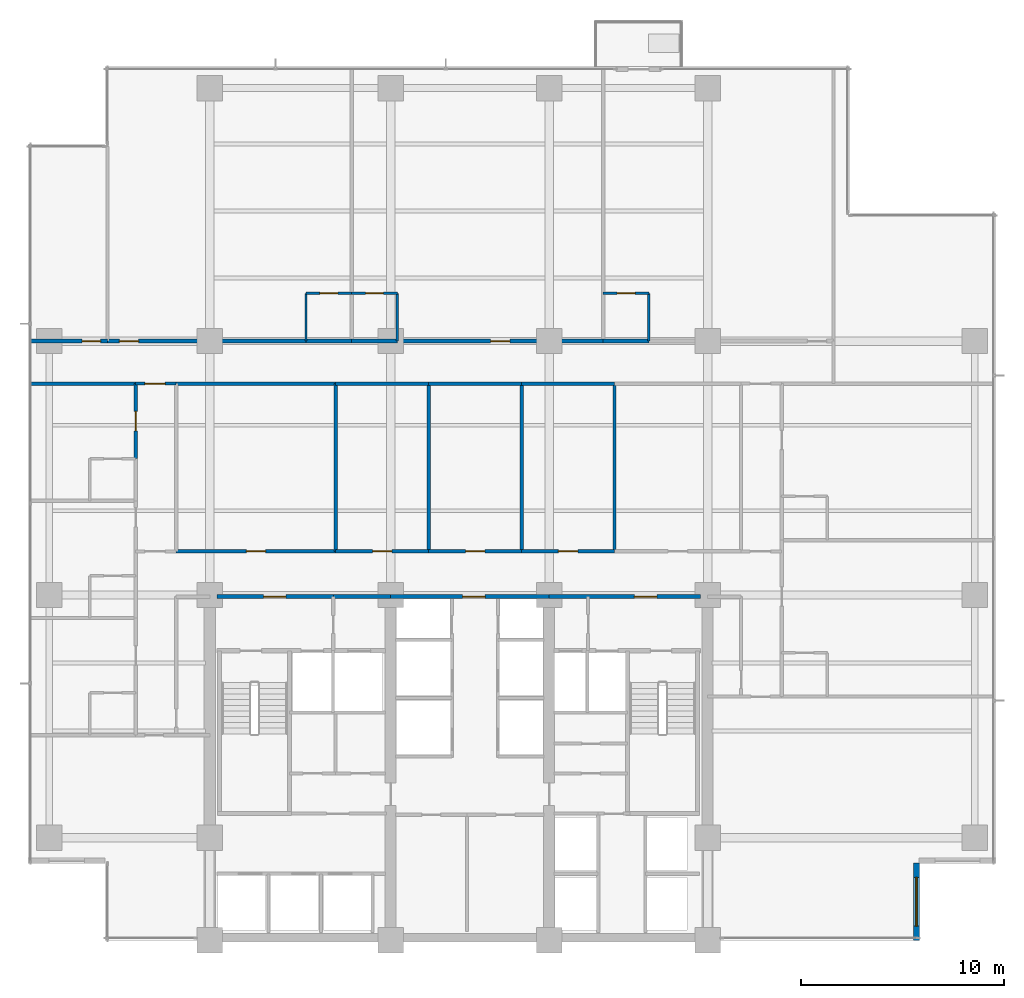
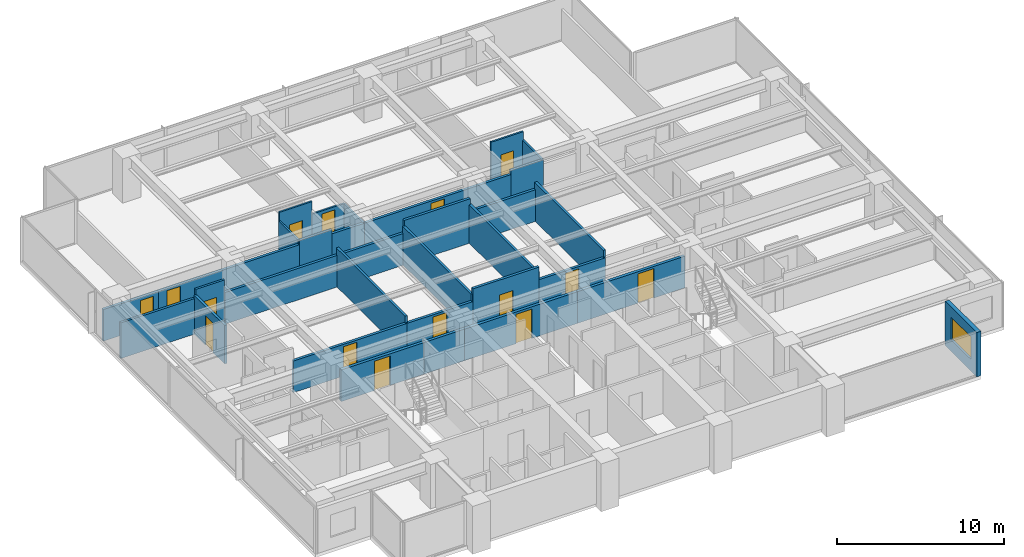
# One storey, part 10 of 17: 32 walls, 15 doors, 1 window, 16 openings.
"""IFC4 building model written with IfcOpenShell, lengths in metres."""

from ifc_helpers import new_model, si_unit, direction, frame, frame_2d, origin, place, context, subcontext, project, spatial, rectangle, extrude, material, layer, layer_set, type_object, element, fill, save


model = new_model("IFC4")

# Units and contexts
model_context = context("Model", 3, precision=1e-05, world=origin(), true_north=direction((0.0, 1.0)))
body_context = subcontext(model_context, "Body", "Model", "MODEL_VIEW")
ifc_project = project(units=[si_unit("LENGTHUNIT", "METRE"), si_unit("AREAUNIT", "SQUARE_METRE"), si_unit("VOLUMEUNIT", "CUBIC_METRE"), si_unit("PLANEANGLEUNIT", "RADIAN"), si_unit("MASSUNIT", "GRAM", prefix="KILO")], contexts=[model_context])

# Site, building, storey
site_placement = place(None, origin())
site = spatial("IfcSite", under=ifc_project, at=site_placement, CompositionType="ELEMENT")
building_placement = place(site_placement, origin())
building = spatial("IfcBuilding", under=site, at=building_placement, Name="Qalmaran Belvedere Hotel", CompositionType="ELEMENT")
storey_placement = place(building_placement, frame((0.0, 0.0, 112.699951171875)))
storey = spatial("IfcBuildingStorey", under=building, at=storey_placement, Name="L28", CompositionType="ELEMENT", Elevation=112.699951171875)

# Wall, opening, window
ifc_material_1 = material(Name="Anodised Bronze Cladding")
ifc_layer_1 = layer(ifc_material_1, 0.280029296875, Name="Anodised Bronze Cladding")
ifc_layer_set_1 = layer_set([ifc_layer_1], Name="Anodised Bronze Cladding")
wall_type_1 = type_object("IfcWallType", Name="WL-EXT-BRNZ-280", PredefinedType="SOLIDWALL", material=ifc_layer_set_1)
wall_1_placement = place(storey_placement, frame((55.080078125, 3.5, 0.0), z_axis=(0.0, 0.0, 1.0), x_axis=(0.0, 1.0, 0.0)))
wall_1 = element("IfcWall", 1, at=wall_1_placement, inside=storey, type_object=wall_type_1, Name="L28 Corner Notch Wall 1", PredefinedType="SOLIDWALL", context=body_context, shape_type="SweptSolid", body=[
    extrude(rectangle(XDim=3.800048828125, YDim=0.280029296875, at=frame_2d((1.89990234375, 0.0))), origin(), (0.0, 0.0, 1.0), 3.239990234375),
])
opening_1_placement = place(wall_1_placement, frame((0.699951171875, 0.0, 0.85009765625)))
opening_1 = element("IfcOpeningElement", 2, at=opening_1_placement, cuts=wall_1, Name="Opening W-N24", PredefinedType="OPENING", context=body_context, shape_type="SweptSolid", body=[
    extrude(rectangle(XDim=2.39990234375, YDim=1.64990234375, at=frame_2d((1.199951171875, 0.824951171875))), frame((0.0, 0.14990234375, 0.0), z_axis=(0.0, -1.0, 0.0), x_axis=(1.0, 0.0, 0.0)), (0.0, 0.0, 1.0), 0.300048828125),
])
ifc_material_2 = material(Name="Solar-Control Double Glazing", Category="glass")
window_type = type_object("IfcWindowType", Name="WN-NTC-2400X1650", PartitioningType="SINGLE_PANEL", PredefinedType="WINDOW", material=ifc_material_2)
window_placement = place(opening_1_placement, origin())
window = element("IfcWindow", 3, at=window_placement, inside=storey, type_object=window_type, Name="L28 Corner Notch Window 1", OverallHeight=1.64990234375, OverallWidth=2.39990234375, PartitioningType="SINGLE_PANEL", PredefinedType="WINDOW", context=body_context, shape_type="SweptSolid", body=[
    extrude(rectangle(XDim=2.39990234375, YDim=1.64990234375, at=frame_2d((1.199951171875, 0.824951171875))), frame((0.0, 0.030029296875, 0.0), z_axis=(0.0, -1.0, 0.0), x_axis=(1.0, 0.0, 0.0)), (0.0, 0.0, 1.0), 0.06005859375),
])
fill(opening_1, window)

# Wall, opening, door
ifc_material_3 = material(Name="Moisture-Resistant Gypsum")
ifc_layer_2 = layer(ifc_material_3, 0.1201171875, Name="Moisture-Resistant Gypsum")
ifc_layer_set_2 = layer_set([ifc_layer_2], Name="Moisture-Resistant Gypsum")
wall_type_2 = type_object("IfcWallType", Name="WL-INT-120-BATH", PredefinedType="PARTITIONING", material=ifc_layer_set_2)
wall_2_placement = place(storey_placement, frame((25.035400390625, 35.35009765625, 0.0), z_axis=(0.0, 0.0, 1.0), x_axis=(1.0, 0.0, 0.0)))
wall_2 = element("IfcWall", 4, at=wall_2_placement, inside=storey, type_object=wall_type_2, Name="L28 Partition WL-L28-NBN00", PredefinedType="PARTITIONING", context=body_context, shape_type="SweptSolid", body=[
    extrude(rectangle(XDim=2.25, YDim=0.1201171875, at=frame_2d((1.125, 0.0))), origin(), (0.0, 0.0, 1.0), 3.239990234375),
])
opening_2_placement = place(wall_2_placement, frame((1.56494140625, 0.0, 0.0), z_axis=(0.0, 0.0, 1.0), x_axis=(-1.0, 0.0, 0.0)))
opening_2 = element("IfcOpeningElement", 5, at=opening_2_placement, cuts=wall_2, Name="Opening D-BATH", PredefinedType="OPENING", context=body_context, shape_type="SweptSolid", body=[
    extrude(rectangle(XDim=0.8798828125, YDim=2.080078125, at=frame_2d((0.43994140625, 1.0400390625))), frame((0.0, 0.070068359375, 0.0), z_axis=(0.0, -1.0, 0.0), x_axis=(1.0, 0.0, 0.0)), (0.0, 0.0, 1.0), 0.14013671875),
])
ifc_material_4 = material(Name="Engineered Oak Veneer")
door_type_1 = type_object("IfcDoorType", Name="DR-INT-BATH-880X2080", OperationType="NOTDEFINED", PredefinedType="DOOR", material=ifc_material_4)
door_1_placement = place(opening_2_placement, origin())
door_1 = element("IfcDoor", 6, at=door_1_placement, inside=storey, type_object=door_type_1, Name="L28 Ensuite Bathroom Door N01", OperationType="SINGLE_SWING_RIGHT", OverallHeight=2.080078125, OverallWidth=0.8798828125, PredefinedType="DOOR", context=body_context, shape_type="SweptSolid", body=[
    extrude(rectangle(XDim=0.8798828125, YDim=2.080078125, at=frame_2d((0.43994140625, 1.0400390625))), frame((0.0, 0.02490234375, 0.0), z_axis=(0.0, -1.0, 0.0), x_axis=(1.0, 0.0, 0.0)), (0.0, 0.0, 1.0), 0.050048828125),
])
fill(opening_2, door_1)

# Wall
wall_3_placement = place(storey_placement, frame((25.035400390625, 33.0, 0.0), z_axis=(0.0, 0.0, 1.0), x_axis=(0.0, 1.0, 0.0)))
element("IfcWall", 7, at=wall_3_placement, inside=storey, type_object=wall_type_2, Name="L28 Partition WL-L28-NBS00", PredefinedType="PARTITIONING", context=body_context, shape_type="SweptSolid", body=[
    extrude(rectangle(XDim=2.35009765625, YDim=0.1201171875, at=frame_2d((1.175048828125, 0.0))), origin(), (0.0, 0.0, 1.0), 2.614013671875),
])

# Wall, opening, door
wall_4_placement = place(storey_placement, frame((27.285400390625, 35.35009765625, 0.0), z_axis=(0.0, 0.0, 1.0), x_axis=(1.0, 0.0, 0.0)))
wall_4 = element("IfcWall", 8, at=wall_4_placement, inside=storey, type_object=wall_type_2, Name="L28 Partition WL-L28-NBN01", PredefinedType="PARTITIONING", context=body_context, shape_type="SweptSolid", body=[
    extrude(rectangle(XDim=2.25, YDim=0.1201171875, at=frame_2d((1.125, 0.0))), origin(), (0.0, 0.0, 1.0), 2.31298828125),
])
opening_3_placement = place(wall_4_placement, frame((1.56494140625, 0.0, 0.0), z_axis=(0.0, 0.0, 1.0), x_axis=(-1.0, 0.0, 0.0)))
opening_3 = element("IfcOpeningElement", 9, at=opening_3_placement, cuts=wall_4, Name="Opening D-BATH", PredefinedType="OPENING", context=body_context, shape_type="SweptSolid", body=[
    extrude(rectangle(XDim=0.8798828125, YDim=2.080078125, at=frame_2d((0.43994140625, 1.0400390625))), frame((0.0, 0.070068359375, 0.0), z_axis=(0.0, -1.0, 0.0), x_axis=(1.0, 0.0, 0.0)), (0.0, 0.0, 1.0), 0.14013671875),
])
door_2_placement = place(opening_3_placement, origin())
door_2 = element("IfcDoor", 10, at=door_2_placement, inside=storey, type_object=door_type_1, Name="L28 Ensuite Bathroom Door N02", OperationType="SINGLE_SWING_RIGHT", OverallHeight=2.080078125, OverallWidth=0.8798828125, PredefinedType="DOOR", context=body_context, shape_type="SweptSolid", body=[
    extrude(rectangle(XDim=0.8798828125, YDim=2.080078125, at=frame_2d((0.43994140625, 1.0400390625))), frame((0.0, 0.02490234375, 0.0), z_axis=(0.0, -1.0, 0.0), x_axis=(1.0, 0.0, 0.0)), (0.0, 0.0, 1.0), 0.050048828125),
])
fill(opening_3, door_2)

# Wall
wall_5_placement = place(storey_placement, frame((29.535400390625, 33.0, 0.0), z_axis=(0.0, 0.0, 1.0), x_axis=(0.0, 1.0, 0.0)))
element("IfcWall", 11, at=wall_5_placement, inside=storey, type_object=wall_type_2, Name="L28 Partition WL-L28-NBS01", PredefinedType="PARTITIONING", context=body_context, shape_type="SweptSolid", body=[
    extrude(rectangle(XDim=2.35009765625, YDim=0.1201171875, at=frame_2d((1.175048828125, 0.0))), origin(), (0.0, 0.0, 1.0), 2.31298828125),
])

# Wall, opening, door
wall_6_placement = place(storey_placement, frame((39.664794921875, 35.35009765625, 0.0), z_axis=(0.0, 0.0, 1.0), x_axis=(1.0, 0.0, 0.0)))
wall_6 = element("IfcWall", 12, at=wall_6_placement, inside=storey, type_object=wall_type_2, Name="L28 Partition WL-L28-NBN02", PredefinedType="PARTITIONING", context=body_context, shape_type="SweptSolid", body=[
    extrude(rectangle(XDim=2.25, YDim=0.1201171875, at=frame_2d((1.125, 0.0))), origin(), (0.0, 0.0, 1.0), 3.239990234375),
])
opening_4_placement = place(wall_6_placement, frame((1.56494140625, 0.0, 0.0), z_axis=(0.0, 0.0, 1.0), x_axis=(-1.0, 0.0, 0.0)))
opening_4 = element("IfcOpeningElement", 13, at=opening_4_placement, cuts=wall_6, Name="Opening D-BATH", PredefinedType="OPENING", context=body_context, shape_type="SweptSolid", body=[
    extrude(rectangle(XDim=0.8798828125, YDim=2.080078125, at=frame_2d((0.43994140625, 1.0400390625))), frame((0.0, 0.070068359375, 0.0), z_axis=(0.0, -1.0, 0.0), x_axis=(1.0, 0.0, 0.0)), (0.0, 0.0, 1.0), 0.14013671875),
])
door_3_placement = place(opening_4_placement, origin())
door_3 = element("IfcDoor", 14, at=door_3_placement, inside=storey, type_object=door_type_1, Name="L28 Ensuite Bathroom Door N03", OperationType="SINGLE_SWING_RIGHT", OverallHeight=2.080078125, OverallWidth=0.8798828125, PredefinedType="DOOR", context=body_context, shape_type="SweptSolid", body=[
    extrude(rectangle(XDim=0.8798828125, YDim=2.080078125, at=frame_2d((0.43994140625, 1.0400390625))), frame((0.0, 0.02490234375, 0.0), z_axis=(0.0, -1.0, 0.0), x_axis=(1.0, 0.0, 0.0)), (0.0, 0.0, 1.0), 0.050048828125),
])
fill(opening_4, door_3)

# Wall
wall_7_placement = place(storey_placement, frame((41.914794921875, 33.0, 0.0), z_axis=(0.0, 0.0, 1.0), x_axis=(0.0, 1.0, 0.0)))
element("IfcWall", 15, at=wall_7_placement, inside=storey, type_object=wall_type_2, Name="L28 Partition WL-L28-NBS02", PredefinedType="PARTITIONING", context=body_context, shape_type="SweptSolid", body=[
    extrude(rectangle(XDim=2.35009765625, YDim=0.1201171875, at=frame_2d((1.175048828125, 0.0))), origin(), (0.0, 0.0, 1.0), 2.614013671875),
])

# Wall, opening, door
ifc_material_5 = material(Name="Gypsum Stud Partition")
ifc_layer_3 = layer(ifc_material_5, 0.14990234375, Name="Gypsum Stud Partition")
ifc_layer_set_3 = layer_set([ifc_layer_3], Name="Gypsum Stud Partition")
wall_type_3 = type_object("IfcWallType", Name="WL-INT-150-EI60", PredefinedType="PARTITIONING", material=ifc_layer_set_3)
wall_8_placement = place(storey_placement, frame((16.64990234375, 30.89990234375, 0.0), z_axis=(0.0, 0.0, 1.0), x_axis=(1.0, 0.0, 0.0)))
wall_8 = element("IfcWall", 16, at=wall_8_placement, inside=storey, type_object=wall_type_3, Name="L28 Partition WL-L28-XCW2", PredefinedType="PARTITIONING", context=body_context, shape_type="SweptSolid", body=[
    extrude(rectangle(XDim=2.0, YDim=0.14990234375, at=frame_2d((1.0, 0.0))), origin(), (0.0, 0.0, 1.0), 3.239990234375),
])
opening_5_placement = place(wall_8_placement, frame((0.449951171875, 0.0, 0.0)))
opening_5 = element("IfcOpeningElement", 17, at=opening_5_placement, cuts=wall_8, Name="Opening FD90B", PredefinedType="OPENING", context=body_context, shape_type="SweptSolid", body=[
    extrude(rectangle(XDim=1.0, YDim=2.14990234375, at=frame_2d((0.5, 1.074951171875))), frame((0.0, 0.0849609375, 0.0), z_axis=(0.0, -1.0, 0.0), x_axis=(1.0, 0.0, 0.0)), (0.0, 0.0, 1.0), 0.169921875),
])
ifc_material_6 = material(Name="Steel S355JR", Category="steel")
door_type_2 = type_object("IfcDoorType", Name="DR-FD90B-1000X2150", OperationType="NOTDEFINED", PredefinedType="DOOR", material=ifc_material_6)
door_4_placement = place(opening_5_placement, origin())
door_4 = element("IfcDoor", 18, at=door_4_placement, inside=storey, type_object=door_type_2, Name="L28 West Corridor Smoke Door N", OperationType="SINGLE_SWING_RIGHT", OverallHeight=2.14990234375, OverallWidth=1.0, PredefinedType="DOOR", context=body_context, shape_type="SweptSolid", body=[
    extrude(rectangle(XDim=1.0, YDim=2.14990234375, at=frame_2d((0.5, 1.074951171875))), frame((0.0, 0.02490234375, 0.0), z_axis=(0.0, -1.0, 0.0), x_axis=(1.0, 0.0, 0.0)), (0.0, 0.0, 1.0), 0.050048828125),
])
fill(opening_5, door_4)

# Walls
ifc_layer_4 = layer(ifc_material_5, 0.159912109375, Name="Gypsum Stud Partition")
ifc_layer_set_4 = layer_set([ifc_layer_4], Name="Gypsum Stud Partition")
wall_type_4 = type_object("IfcWallType", Name="WL-INT-160-EI60", PredefinedType="PARTITIONING", material=ifc_layer_set_4)
for number, where, z_axis, x_axis, name in (
    (19, (26.5, 22.64990234375, 0.0), (0.0, 0.0, 1.0), (0.0, 1.0, 0.0), "L28 Partition WL-L28-MIDVR1"),
    (20, (31.074951171875, 22.64990234375, 0.0), (0.0, 0.0, 1.0), (0.0, 1.0, 0.0), "L28 Partition WL-L28-MIDVR2"),
    (21, (35.64990234375, 22.64990234375, 0.0), (0.0, 0.0, 1.0), (0.0, 1.0, 0.0), "L28 Partition WL-L28-MIDVR3"),
    (22, (40.22509765625, 22.64990234375, 0.0), (0.0, 0.0, 1.0), (0.0, 1.0, 0.0), "L28 Partition WL-L28-MIDVR4"),
):
    element("IfcWall", number, at=place(storey_placement, frame(where, z_axis=z_axis, x_axis=x_axis)), inside=storey, type_object=wall_type_4, Name=name, PredefinedType="PARTITIONING", context=body_context, shape_type="SweptSolid", body=[
        extrude(rectangle(XDim=8.25, YDim=0.159912109375, at=frame_2d((4.125, 0.0))), origin(), (0.0, 0.0, 1.0), 2.818115234375),
    ])
wall_9_placement = place(storey_placement, frame((11.469970703125, 30.89990234375, 0.0), z_axis=(0.0, 0.0, 1.0), x_axis=(1.0, 0.0, 0.0)))
element("IfcWall", 23, at=wall_9_placement, inside=storey, type_object=wall_type_4, Name="L28 Partition WL-L28-WU02", PredefinedType="PARTITIONING", context=body_context, shape_type="SweptSolid", body=[
    extrude(rectangle(XDim=5.179931640625, YDim=0.159912109375, at=frame_2d((2.58984375, 0.0))), origin(), (0.0, 0.0, 1.0), 2.60302734375),
])

# Wall, opening, door
ifc_layer_5 = layer(ifc_material_5, 0.179931640625, Name="Gypsum Stud Partition")
ifc_layer_set_5 = layer_set([ifc_layer_5], Name="Gypsum Stud Partition")
wall_type_5 = type_object("IfcWallType", Name="WL-INT-180-EI60", PredefinedType="PARTITIONING", material=ifc_layer_set_5)
wall_10_placement = place(storey_placement, frame((18.64990234375, 22.64990234375, 0.0), z_axis=(0.0, 0.0, 1.0), x_axis=(1.0, 0.0, 0.0)))
wall_10 = element("IfcWall", 24, at=wall_10_placement, inside=storey, type_object=wall_type_5, Name="L28 Partition WL-L28-MIDD1", PredefinedType="PARTITIONING", context=body_context, shape_type="SweptSolid", body=[
    extrude(rectangle(XDim=7.85009765625, YDim=0.179931640625, at=frame_2d((3.925048828125, 0.0))), origin(), (0.0, 0.0, 1.0), 2.31298828125),
])
opening_6_placement = place(wall_10_placement, frame((3.449951171875, 0.0, 0.0)))
opening_6 = element("IfcOpeningElement", 25, at=opening_6_placement, cuts=wall_10, Name="Opening FD60", PredefinedType="OPENING", context=body_context, shape_type="SweptSolid", body=[
    extrude(rectangle(XDim=0.949951171875, YDim=2.14990234375, at=frame_2d((0.47509765625, 1.074951171875))), frame((0.0, 0.10009765625, 0.0), z_axis=(0.0, -1.0, 0.0), x_axis=(1.0, 0.0, 0.0)), (0.0, 0.0, 1.0), 0.199951171875),
])
door_type_3 = type_object("IfcDoorType", Name="DR-FD60-950X2150", OperationType="NOTDEFINED", PredefinedType="DOOR", material=ifc_material_4)
door_5_placement = place(opening_6_placement, origin())
door_5 = element("IfcDoor", 26, at=door_5_placement, inside=storey, type_object=door_type_3, Name="L28 Housekeeping and Linen Room Door", OperationType="SINGLE_SWING_LEFT", OverallHeight=2.14990234375, OverallWidth=0.949951171875, PredefinedType="DOOR", context=body_context, shape_type="SweptSolid", body=[
    extrude(rectangle(XDim=0.949951171875, YDim=2.14990234375, at=frame_2d((0.47509765625, 1.074951171875))), frame((0.0, 0.02490234375, 0.0), z_axis=(0.0, -1.0, 0.0), x_axis=(1.0, 0.0, 0.0)), (0.0, 0.0, 1.0), 0.050048828125),
])
fill(opening_6, door_5)

# Wall
wall_11_placement = place(storey_placement, frame((18.64990234375, 30.89990234375, 0.0), z_axis=(0.0, 0.0, 1.0), x_axis=(1.0, 0.0, 0.0)))
element("IfcWall", 27, at=wall_11_placement, inside=storey, type_object=wall_type_5, Name="L28 Partition WL-L28-MIDO1", PredefinedType="PARTITIONING", context=body_context, shape_type="SweptSolid", body=[
    extrude(rectangle(XDim=7.85009765625, YDim=0.179931640625, at=frame_2d((3.925048828125, 0.0))), origin(), (0.0, 0.0, 1.0), 2.31298828125),
])

# Wall, opening, door
wall_12_placement = place(storey_placement, frame((26.5, 22.64990234375, 0.0), z_axis=(0.0, 0.0, 1.0), x_axis=(1.0, 0.0, 0.0)))
wall_12 = element("IfcWall", 28, at=wall_12_placement, inside=storey, type_object=wall_type_5, Name="L28 Partition WL-L28-MIDD2", PredefinedType="PARTITIONING", context=body_context, shape_type="SweptSolid", body=[
    extrude(rectangle(XDim=4.574951171875, YDim=0.179931640625, at=frame_2d((2.28759765625, 0.0))), origin(), (0.0, 0.0, 1.0), 2.31298828125),
])
opening_7_placement = place(wall_12_placement, frame((1.8125, 0.0, 0.0)))
opening_7 = element("IfcOpeningElement", 29, at=opening_7_placement, cuts=wall_12, Name="Opening FD60", PredefinedType="OPENING", context=body_context, shape_type="SweptSolid", body=[
    extrude(rectangle(XDim=0.949951171875, YDim=2.14990234375, at=frame_2d((0.47509765625, 1.074951171875))), frame((0.0, 0.10009765625, 0.0), z_axis=(0.0, -1.0, 0.0), x_axis=(1.0, 0.0, 0.0)), (0.0, 0.0, 1.0), 0.199951171875),
])
door_6_placement = place(opening_7_placement, origin())
door_6 = element("IfcDoor", 30, at=door_6_placement, inside=storey, type_object=door_type_3, Name="L28 Drawing Lounge Door", OperationType="SINGLE_SWING_RIGHT", OverallHeight=2.14990234375, OverallWidth=0.949951171875, PredefinedType="DOOR", context=body_context, shape_type="SweptSolid", body=[
    extrude(rectangle(XDim=0.949951171875, YDim=2.14990234375, at=frame_2d((0.47509765625, 1.074951171875))), frame((0.0, 0.02490234375, 0.0), z_axis=(0.0, -1.0, 0.0), x_axis=(1.0, 0.0, 0.0)), (0.0, 0.0, 1.0), 0.050048828125),
])
fill(opening_7, door_6)

# Wall
wall_13_placement = place(storey_placement, frame((26.5, 30.89990234375, 0.0), z_axis=(0.0, 0.0, 1.0), x_axis=(1.0, 0.0, 0.0)))
element("IfcWall", 31, at=wall_13_placement, inside=storey, type_object=wall_type_5, Name="L28 Partition WL-L28-MIDO2", PredefinedType="PARTITIONING", context=body_context, shape_type="SweptSolid", body=[
    extrude(rectangle(XDim=4.574951171875, YDim=0.179931640625, at=frame_2d((2.28759765625, 0.0))), origin(), (0.0, 0.0, 1.0), 2.31298828125),
])

# Wall, opening, door
wall_14_placement = place(storey_placement, frame((31.074951171875, 22.64990234375, 0.0), z_axis=(0.0, 0.0, 1.0), x_axis=(1.0, 0.0, 0.0)))
wall_14 = element("IfcWall", 32, at=wall_14_placement, inside=storey, type_object=wall_type_5, Name="L28 Partition WL-L28-MIDD3", PredefinedType="PARTITIONING", context=body_context, shape_type="SweptSolid", body=[
    extrude(rectangle(XDim=4.574951171875, YDim=0.179931640625, at=frame_2d((2.28759765625, 0.0))), origin(), (0.0, 0.0, 1.0), 3.239990234375),
])
opening_8_placement = place(wall_14_placement, frame((1.8125, 0.0, 0.0)))
opening_8 = element("IfcOpeningElement", 33, at=opening_8_placement, cuts=wall_14, Name="Opening FD60", PredefinedType="OPENING", context=body_context, shape_type="SweptSolid", body=[
    extrude(rectangle(XDim=0.949951171875, YDim=2.14990234375, at=frame_2d((0.47509765625, 1.074951171875))), frame((0.0, 0.10009765625, 0.0), z_axis=(0.0, -1.0, 0.0), x_axis=(1.0, 0.0, 0.0)), (0.0, 0.0, 1.0), 0.199951171875),
])
door_7_placement = place(opening_8_placement, origin())
door_7 = element("IfcDoor", 34, at=door_7_placement, inside=storey, type_object=door_type_3, Name="L28 Sitting Lounge Door", OperationType="SINGLE_SWING_LEFT", OverallHeight=2.14990234375, OverallWidth=0.949951171875, PredefinedType="DOOR", context=body_context, shape_type="SweptSolid", body=[
    extrude(rectangle(XDim=0.949951171875, YDim=2.14990234375, at=frame_2d((0.47509765625, 1.074951171875))), frame((0.0, 0.02490234375, 0.0), z_axis=(0.0, -1.0, 0.0), x_axis=(1.0, 0.0, 0.0)), (0.0, 0.0, 1.0), 0.050048828125),
])
fill(opening_8, door_7)

# Wall
wall_15_placement = place(storey_placement, frame((31.074951171875, 30.89990234375, 0.0), z_axis=(0.0, 0.0, 1.0), x_axis=(1.0, 0.0, 0.0)))
element("IfcWall", 35, at=wall_15_placement, inside=storey, type_object=wall_type_5, Name="L28 Partition WL-L28-MIDO3", PredefinedType="PARTITIONING", context=body_context, shape_type="SweptSolid", body=[
    extrude(rectangle(XDim=4.574951171875, YDim=0.179931640625, at=frame_2d((2.28759765625, 0.0))), origin(), (0.0, 0.0, 1.0), 3.239990234375),
])

# Wall, opening, door
wall_16_placement = place(storey_placement, frame((35.64990234375, 22.64990234375, 0.0), z_axis=(0.0, 0.0, 1.0), x_axis=(1.0, 0.0, 0.0)))
wall_16 = element("IfcWall", 36, at=wall_16_placement, inside=storey, type_object=wall_type_5, Name="L28 Partition WL-L28-MIDD4", PredefinedType="PARTITIONING", context=body_context, shape_type="SweptSolid", body=[
    extrude(rectangle(XDim=4.5751953125, YDim=0.179931640625, at=frame_2d((2.28759765625, 0.0))), origin(), (0.0, 0.0, 1.0), 2.31298828125),
])
opening_9_placement = place(wall_16_placement, frame((1.8125, 0.0, 0.0)))
opening_9 = element("IfcOpeningElement", 37, at=opening_9_placement, cuts=wall_16, Name="Opening FD60", PredefinedType="OPENING", context=body_context, shape_type="SweptSolid", body=[
    extrude(rectangle(XDim=0.949951171875, YDim=2.14990234375, at=frame_2d((0.47509765625, 1.074951171875))), frame((0.0, 0.10009765625, 0.0), z_axis=(0.0, -1.0, 0.0), x_axis=(1.0, 0.0, 0.0)), (0.0, 0.0, 1.0), 0.199951171875),
])
door_8_placement = place(opening_9_placement, origin())
door_8 = element("IfcDoor", 38, at=door_8_placement, inside=storey, type_object=door_type_3, Name="L28 Family Lounge Door", OperationType="SINGLE_SWING_RIGHT", OverallHeight=2.14990234375, OverallWidth=0.949951171875, PredefinedType="DOOR", context=body_context, shape_type="SweptSolid", body=[
    extrude(rectangle(XDim=0.949951171875, YDim=2.14990234375, at=frame_2d((0.47509765625, 1.074951171875))), frame((0.0, 0.02490234375, 0.0), z_axis=(0.0, -1.0, 0.0), x_axis=(1.0, 0.0, 0.0)), (0.0, 0.0, 1.0), 0.050048828125),
])
fill(opening_9, door_8)

# Walls
wall_17_placement = place(storey_placement, frame((35.64990234375, 30.89990234375, 0.0), z_axis=(0.0, 0.0, 1.0), x_axis=(1.0, 0.0, 0.0)))
element("IfcWall", 39, at=wall_17_placement, inside=storey, type_object=wall_type_5, Name="L28 Partition WL-L28-MIDO4", PredefinedType="PARTITIONING", context=body_context, shape_type="SweptSolid", body=[
    extrude(rectangle(XDim=4.5751953125, YDim=0.179931640625, at=frame_2d((2.28759765625, 0.0))), origin(), (0.0, 0.0, 1.0), 2.31298828125),
])
wall_18_placement = place(storey_placement, frame((25.035400390625, 33.0, 0.0), z_axis=(0.0, 0.0, 1.0), x_axis=(1.0, 0.0, 0.0)))
element("IfcWall", 40, at=wall_18_placement, inside=storey, type_object=wall_type_5, Name="L28 Partition WL-L28-NBC00", PredefinedType="PARTITIONING", context=body_context, shape_type="SweptSolid", body=[
    extrude(rectangle(XDim=2.25, YDim=0.179931640625, at=frame_2d((1.125, 0.0))), origin(), (0.0, 0.0, 1.0), 2.614013671875),
])

# Wall, opening, door
wall_19_placement = place(storey_placement, frame((15.27001953125, 33.0, 0.0), z_axis=(0.0, 0.0, 1.0), x_axis=(1.0, 0.0, 0.0)))
wall_19 = element("IfcWall", 41, at=wall_19_placement, inside=storey, type_object=wall_type_5, Name="L28 Partition WL-L28-NEC00", PredefinedType="PARTITIONING", context=body_context, shape_type="SweptSolid", body=[
    extrude(rectangle(XDim=9.765380859375, YDim=0.179931640625, at=frame_2d((4.8828125, 0.0))), origin(), (0.0, 0.0, 1.0), 2.31298828125),
])
opening_10_placement = place(wall_19_placement, frame((0.578857421875, 0.0, 0.0)))
opening_10 = element("IfcOpeningElement", 42, at=opening_10_placement, cuts=wall_19, Name="Opening FD60", PredefinedType="OPENING", context=body_context, shape_type="SweptSolid", body=[
    extrude(rectangle(XDim=0.949951171875, YDim=2.14990234375, at=frame_2d((0.47509765625, 1.074951171875))), frame((0.0, 0.10009765625, 0.0), z_axis=(0.0, -1.0, 0.0), x_axis=(1.0, 0.0, 0.0)), (0.0, 0.0, 1.0), 0.199951171875),
])
door_9_placement = place(opening_10_placement, origin())
door_9 = element("IfcDoor", 43, at=door_9_placement, inside=storey, type_object=door_type_3, Name="L28 Guest Entrance Door N01", OperationType="SINGLE_SWING_LEFT", OverallHeight=2.14990234375, OverallWidth=0.949951171875, PredefinedType="DOOR", context=body_context, shape_type="SweptSolid", body=[
    extrude(rectangle(XDim=0.949951171875, YDim=2.14990234375, at=frame_2d((0.47509765625, 1.074951171875))), frame((0.0, 0.02490234375, 0.0), z_axis=(0.0, -1.0, 0.0), x_axis=(1.0, 0.0, 0.0)), (0.0, 0.0, 1.0), 0.050048828125),
])
fill(opening_10, door_9)

# Wall
wall_20_placement = place(storey_placement, frame((27.285400390625, 33.0, 0.0), z_axis=(0.0, 0.0, 1.0), x_axis=(1.0, 0.0, 0.0)))
element("IfcWall", 44, at=wall_20_placement, inside=storey, type_object=wall_type_5, Name="L28 Partition WL-L28-NBC01", PredefinedType="PARTITIONING", context=body_context, shape_type="SweptSolid", body=[
    extrude(rectangle(XDim=2.25, YDim=0.179931640625, at=frame_2d((1.125, 0.0))), origin(), (0.0, 0.0, 1.0), 2.31298828125),
])

# Wall, opening, door
wall_21_placement = place(storey_placement, frame((29.535400390625, 33.0, 0.0), z_axis=(0.0, 0.0, 1.0), x_axis=(1.0, 0.0, 0.0)))
wall_21 = element("IfcWall", 45, at=wall_21_placement, inside=storey, type_object=wall_type_5, Name="L28 Partition WL-L28-NEC01", PredefinedType="PARTITIONING", context=body_context, shape_type="SweptSolid", body=[
    extrude(rectangle(XDim=10.12939453125, YDim=0.179931640625, at=frame_2d((5.064697265625, 0.0))), origin(), (0.0, 0.0, 1.0), 2.31298828125),
])
opening_11_placement = place(wall_21_placement, frame((4.589599609375, 0.0, 0.0)))
opening_11 = element("IfcOpeningElement", 46, at=opening_11_placement, cuts=wall_21, Name="Opening FD60", PredefinedType="OPENING", context=body_context, shape_type="SweptSolid", body=[
    extrude(rectangle(XDim=0.949951171875, YDim=2.14990234375, at=frame_2d((0.47509765625, 1.074951171875))), frame((0.0, 0.10009765625, 0.0), z_axis=(0.0, -1.0, 0.0), x_axis=(1.0, 0.0, 0.0)), (0.0, 0.0, 1.0), 0.199951171875),
])
door_10_placement = place(opening_11_placement, origin())
door_10 = element("IfcDoor", 47, at=door_10_placement, inside=storey, type_object=door_type_3, Name="L28 Guest Entrance Door N02", OperationType="SINGLE_SWING_LEFT", OverallHeight=2.14990234375, OverallWidth=0.949951171875, PredefinedType="DOOR", context=body_context, shape_type="SweptSolid", body=[
    extrude(rectangle(XDim=0.949951171875, YDim=2.14990234375, at=frame_2d((0.47509765625, 1.074951171875))), frame((0.0, 0.02490234375, 0.0), z_axis=(0.0, -1.0, 0.0), x_axis=(1.0, 0.0, 0.0)), (0.0, 0.0, 1.0), 0.050048828125),
])
fill(opening_11, door_10)

# Wall
wall_22_placement = place(storey_placement, frame((39.664794921875, 33.0, 0.0), z_axis=(0.0, 0.0, 1.0), x_axis=(1.0, 0.0, 0.0)))
element("IfcWall", 48, at=wall_22_placement, inside=storey, type_object=wall_type_5, Name="L28 Partition WL-L28-NBC02", PredefinedType="PARTITIONING", context=body_context, shape_type="SweptSolid", body=[
    extrude(rectangle(XDim=2.25, YDim=0.179931640625, at=frame_2d((1.125, 0.0))), origin(), (0.0, 0.0, 1.0), 2.614013671875),
])

# Wall, opening, door
wall_23_placement = place(storey_placement, frame((16.64990234375, 27.21337890625, 0.0), z_axis=(0.0, 0.0, 1.0), x_axis=(0.0, 1.0, 0.0)))
wall_23 = element("IfcWall", 49, at=wall_23_placement, inside=storey, type_object=wall_type_5, Name="L28 Partition WL-L28-WEC02", PredefinedType="PARTITIONING", context=body_context, shape_type="SweptSolid", body=[
    extrude(rectangle(XDim=3.6865234375, YDim=0.179931640625, at=frame_2d((1.84326171875, 0.0))), origin(), (0.0, 0.0, 1.0), 2.818115234375),
])
opening_12_placement = place(wall_23_placement, frame((1.368408203125, 0.0, 0.0)))
opening_12 = element("IfcOpeningElement", 50, at=opening_12_placement, cuts=wall_23, Name="Opening FD60", PredefinedType="OPENING", context=body_context, shape_type="SweptSolid", body=[
    extrude(rectangle(XDim=0.949951171875, YDim=2.14990234375, at=frame_2d((0.47509765625, 1.074951171875))), frame((0.0, 0.10009765625, 0.0), z_axis=(0.0, -1.0, 0.0), x_axis=(1.0, 0.0, 0.0)), (0.0, 0.0, 1.0), 0.199951171875),
])
door_11_placement = place(opening_12_placement, origin())
door_11 = element("IfcDoor", 51, at=door_11_placement, inside=storey, type_object=door_type_3, Name="L28 W Wing Door 03", OperationType="SINGLE_SWING_LEFT", OverallHeight=2.14990234375, OverallWidth=0.949951171875, PredefinedType="DOOR", context=body_context, shape_type="SweptSolid", body=[
    extrude(rectangle(XDim=0.949951171875, YDim=2.14990234375, at=frame_2d((0.47509765625, 1.074951171875))), frame((0.0, 0.02490234375, 0.0), z_axis=(0.0, -1.0, 0.0), x_axis=(1.0, 0.0, 0.0)), (0.0, 0.0, 1.0), 0.050048828125),
])
fill(opening_12, door_11)

wall_24_placement = place(storey_placement, frame((11.469970703125, 33.0, 0.0), z_axis=(0.0, 0.0, 1.0), x_axis=(1.0, 0.0, 0.0)))
wall_24 = element("IfcWall", 52, at=wall_24_placement, inside=storey, type_object=wall_type_5, Name="L28 Partition WL-L28-NWSD", PredefinedType="PARTITIONING", context=body_context, shape_type="SweptSolid", body=[
    extrude(rectangle(XDim=3.800048828125, YDim=0.179931640625, at=frame_2d((1.89990234375, 0.0))), origin(), (0.0, 0.0, 1.0), 2.31298828125),
])
opening_13_placement = place(wall_24_placement, frame((2.543701171875, 0.0, 0.0)))
opening_13 = element("IfcOpeningElement", 53, at=opening_13_placement, cuts=wall_24, Name="Opening FD60S1", PredefinedType="OPENING", context=body_context, shape_type="SweptSolid", body=[
    extrude(rectangle(XDim=0.919921875, YDim=2.080078125, at=frame_2d((0.4599609375, 1.0400390625))), frame((0.0, 0.10009765625, 0.0), z_axis=(0.0, -1.0, 0.0), x_axis=(1.0, 0.0, 0.0)), (0.0, 0.0, 1.0), 0.199951171875),
])
door_type_4 = type_object("IfcDoorType", Name="DR-FD60S-920X2080", OperationType="NOTDEFINED", PredefinedType="DOOR", material=ifc_material_4)
door_12_placement = place(opening_13_placement, origin())
door_12 = element("IfcDoor", 54, at=door_12_placement, inside=storey, type_object=door_type_4, Name="L28 NW Belvedere Study Door", OperationType="SINGLE_SWING_RIGHT", OverallHeight=2.080078125, OverallWidth=0.919921875, PredefinedType="DOOR", context=body_context, shape_type="SweptSolid", body=[
    extrude(rectangle(XDim=0.919921875, YDim=2.080078125, at=frame_2d((0.4599609375, 1.0400390625))), frame((0.0, 0.02490234375, 0.0), z_axis=(0.0, -1.0, 0.0), x_axis=(1.0, 0.0, 0.0)), (0.0, 0.0, 1.0), 0.050048828125),
])
fill(opening_13, door_12)

ifc_material_7 = material(Name="Concrete C30/37 Blockwork", Category="masonry")
ifc_layer_6 = layer(ifc_material_7, 0.199951171875, Name="Concrete C30/37 Blockwork")
ifc_layer_set_6 = layer_set([ifc_layer_6], Name="Concrete C30/37 Blockwork")
wall_type_6 = type_object("IfcWallType", Name="WL-INT-200-EI120", PredefinedType="PARTITIONING", material=ifc_layer_set_6)
wall_25_placement = place(storey_placement, frame((20.64990234375, 20.419921875, 0.0), z_axis=(0.0, 0.0, 1.0), x_axis=(1.0, 0.0, 0.0)))
wall_25 = element("IfcWall", 55, at=wall_25_placement, inside=storey, type_object=wall_type_6, Name="L28 Partition WL-CN1A-L28", PredefinedType="PARTITIONING", context=body_context, shape_type="SweptSolid", body=[
    extrude(rectangle(XDim=5.72998046875, YDim=0.199951171875, at=frame_2d((2.864990234375, 0.0))), origin(), (0.0, 0.0, 1.0), 2.31298828125),
])
opening_14_placement = place(wall_25_placement, frame((2.300048828125, 0.0, 0.0)))
opening_14 = element("IfcOpeningElement", 56, at=opening_14_placement, cuts=wall_25, Name="Opening FD90", PredefinedType="OPENING", context=body_context, shape_type="SweptSolid", body=[
    extrude(rectangle(XDim=1.10009765625, YDim=2.14990234375, at=frame_2d((0.550048828125, 1.074951171875))), frame((0.0, 0.10986328125, 0.0), z_axis=(0.0, -1.0, 0.0), x_axis=(1.0, 0.0, 0.0)), (0.0, 0.0, 1.0), 0.219970703125),
])
door_type_5 = type_object("IfcDoorType", Name="DR-FD90-1100X2150", OperationType="NOTDEFINED", PredefinedType="DOOR", material=ifc_material_6)
door_13_placement = place(opening_14_placement, origin())
door_13 = element("IfcDoor", 57, at=door_13_placement, inside=storey, type_object=door_type_5, Name="L28 FF1 Lobby Corridor Door", OperationType="SINGLE_SWING_RIGHT", OverallHeight=2.14990234375, OverallWidth=1.10009765625, PredefinedType="DOOR", context=body_context, shape_type="SweptSolid", body=[
    extrude(rectangle(XDim=1.10009765625, YDim=2.14990234375, at=frame_2d((0.550048828125, 1.074951171875))), frame((0.0, 0.02490234375, 0.0), z_axis=(0.0, -1.0, 0.0), x_axis=(1.0, 0.0, 0.0)), (0.0, 0.0, 1.0), 0.050048828125),
])
fill(opening_14, door_13)

# Wall
wall_26_placement = place(storey_placement, frame((26.3798828125, 20.419921875, 0.0), z_axis=(0.0, 0.0, 1.0), x_axis=(1.0, 0.0, 0.0)))
element("IfcWall", 58, at=wall_26_placement, inside=storey, type_object=wall_type_6, Name="L28 Partition WL-CN1B-L28", PredefinedType="PARTITIONING", context=body_context, shape_type="SweptSolid", body=[
    extrude(rectangle(XDim=2.820068359375, YDim=0.199951171875, at=frame_2d((1.41015625, 0.0))), origin(), (0.0, 0.0, 1.0), 2.31298828125),
])

# Wall, opening, door
wall_27_placement = place(storey_placement, frame((29.199951171875, 20.419921875, 0.0), z_axis=(0.0, 0.0, 1.0), x_axis=(1.0, 0.0, 0.0)))
wall_27 = element("IfcWall", 59, at=wall_27_placement, inside=storey, type_object=wall_type_6, Name="L28 Partition WL-CN2-L28", PredefinedType="PARTITIONING", context=body_context, shape_type="SweptSolid", body=[
    extrude(rectangle(XDim=7.800048828125, YDim=0.199951171875, at=frame_2d((3.89990234375, 0.0))), origin(), (0.0, 0.0, 1.0), 2.31298828125),
])
opening_15_placement = place(wall_27_placement, frame((3.550048828125, 0.0, 0.0)))
opening_15 = element("IfcOpeningElement", 60, at=opening_15_placement, cuts=wall_27, Name="Opening FD90", PredefinedType="OPENING", context=body_context, shape_type="SweptSolid", body=[
    extrude(rectangle(XDim=1.10009765625, YDim=2.14990234375, at=frame_2d((0.550048828125, 1.074951171875))), frame((0.0, 0.10986328125, 0.0), z_axis=(0.0, -1.0, 0.0), x_axis=(1.0, 0.0, 0.0)), (0.0, 0.0, 1.0), 0.219970703125),
])
door_14_placement = place(opening_15_placement, origin())
door_14 = element("IfcDoor", 61, at=door_14_placement, inside=storey, type_object=door_type_5, Name="L28 Central Lift Lobby Door", OperationType="SINGLE_SWING_LEFT", OverallHeight=2.14990234375, OverallWidth=1.10009765625, PredefinedType="DOOR", context=body_context, shape_type="SweptSolid", body=[
    extrude(rectangle(XDim=1.10009765625, YDim=2.14990234375, at=frame_2d((0.550048828125, 1.074951171875))), frame((0.0, 0.02490234375, 0.0), z_axis=(0.0, -1.0, 0.0), x_axis=(1.0, 0.0, 0.0)), (0.0, 0.0, 1.0), 0.050048828125),
])
fill(opening_15, door_14)

wall_28_placement = place(storey_placement, frame((37.0, 20.419921875, 0.0), z_axis=(0.0, 0.0, 1.0), x_axis=(1.0, 0.0, 0.0)))
wall_28 = element("IfcWall", 62, at=wall_28_placement, inside=storey, type_object=wall_type_6, Name="L28 Partition WL-CN3-L28", PredefinedType="PARTITIONING", context=body_context, shape_type="SweptSolid", body=[
    extrude(rectangle(XDim=7.449951171875, YDim=0.199951171875, at=frame_2d((3.72509765625, 0.0))), origin(), (0.0, 0.0, 1.0), 2.31298828125),
])
opening_16_placement = place(wall_28_placement, frame((4.199951171875, 0.0, 0.0)))
opening_16 = element("IfcOpeningElement", 63, at=opening_16_placement, cuts=wall_28, Name="Opening FD90", PredefinedType="OPENING", context=body_context, shape_type="SweptSolid", body=[
    extrude(rectangle(XDim=1.10009765625, YDim=2.14990234375, at=frame_2d((0.550048828125, 1.074951171875))), frame((0.0, 0.10986328125, 0.0), z_axis=(0.0, -1.0, 0.0), x_axis=(1.0, 0.0, 0.0)), (0.0, 0.0, 1.0), 0.219970703125),
])
door_15_placement = place(opening_16_placement, origin())
door_15 = element("IfcDoor", 64, at=door_15_placement, inside=storey, type_object=door_type_5, Name="L28 FF2 Lobby Corridor Door", OperationType="SINGLE_SWING_RIGHT", OverallHeight=2.14990234375, OverallWidth=1.10009765625, PredefinedType="DOOR", context=body_context, shape_type="SweptSolid", body=[
    extrude(rectangle(XDim=1.10009765625, YDim=2.14990234375, at=frame_2d((0.550048828125, 1.074951171875))), frame((0.0, 0.02490234375, 0.0), z_axis=(0.0, -1.0, 0.0), x_axis=(1.0, 0.0, 0.0)), (0.0, 0.0, 1.0), 0.050048828125),
])
fill(opening_16, door_15)

save(model, "model.ifc")
